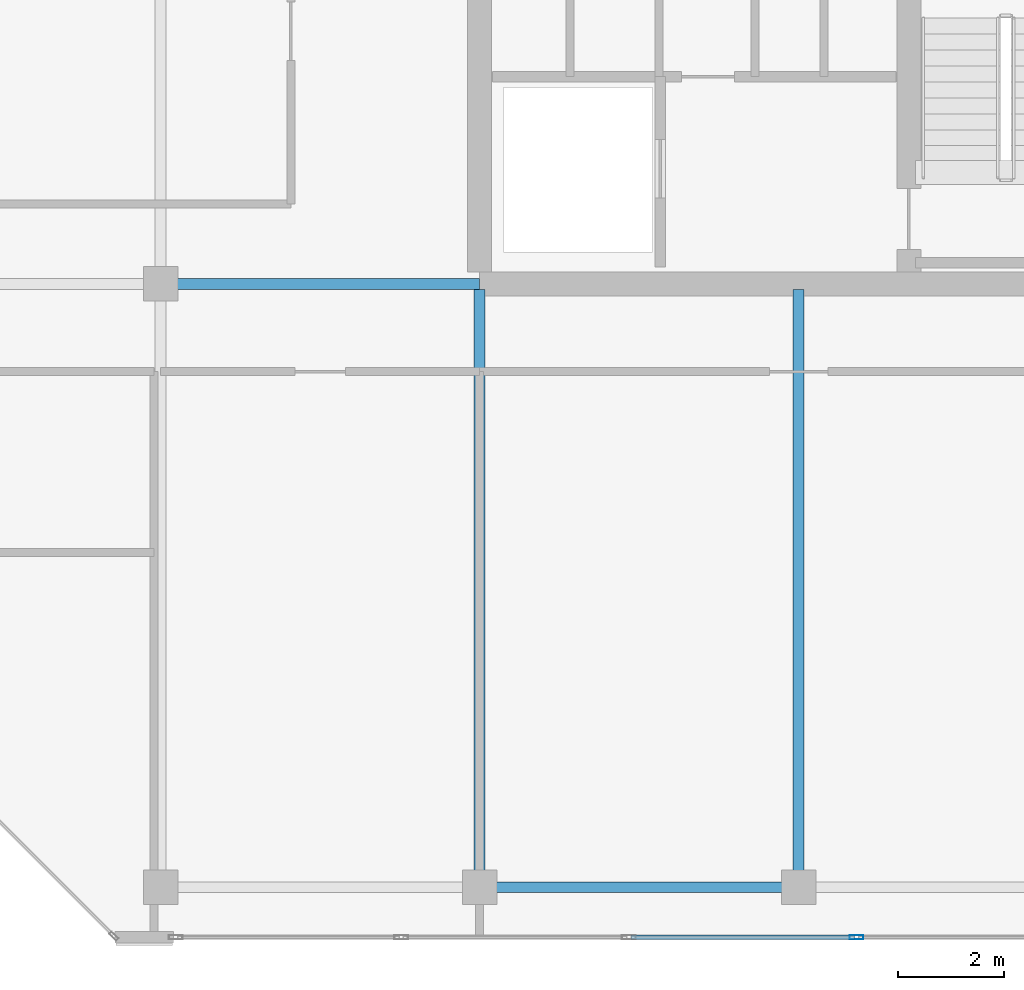
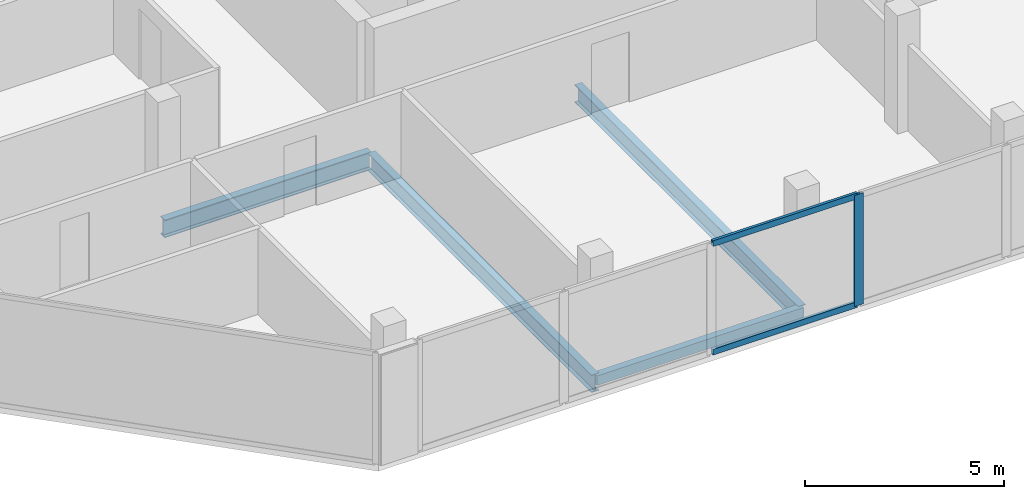
# One storey, part 11 of 28: 4 beams, 3 members, 1 element without a shape of its own.
"""IFC4 building model written with IfcOpenShell, lengths in metres."""

from ifc_helpers import new_model, si_unit, direction, frame, origin, origin_2d, place, context, subcontext, project, spatial, hollow_rectangle, i_section, extrude, material, layer, layer_set, material_profile, profile_set, type_object, element, aggregate, save


model = new_model("IFC4")

# Units and contexts
model_context = context("Model", 3, precision=1e-05, world=origin(), true_north=direction((0.0, 1.0)))
body_context = subcontext(model_context, "Body", "Model", "MODEL_VIEW")
ifc_project = project(units=[si_unit("LENGTHUNIT", "METRE"), si_unit("AREAUNIT", "SQUARE_METRE"), si_unit("VOLUMEUNIT", "CUBIC_METRE"), si_unit("PLANEANGLEUNIT", "RADIAN"), si_unit("MASSUNIT", "GRAM", prefix="KILO")], contexts=[model_context])

# Site, building, storey
site_placement = place(None, origin())
site = spatial("IfcSite", under=ifc_project, at=site_placement, CompositionType="ELEMENT")
building_placement = place(site_placement, origin())
building = spatial("IfcBuilding", under=site, at=building_placement, Name="Tanjung Sevakor Pilgrim Tower", CompositionType="ELEMENT")
storey_placement = place(building_placement, frame((0.0, 0.0, 257.070068359375)))
storey = spatial("IfcBuildingStorey", under=building, at=storey_placement, Name="L72", CompositionType="ELEMENT", Elevation=257.070068359375)

# Beams
ifc_material_1 = material(Name="Steel S355J2", Category="steel")
ifc_material_profile_1 = material_profile(ifc_material_1, i_section(OverallWidth=0.2119140625, OverallDepth=0.54443359375, WebThickness=0.0126953125, FlangeThickness=0.021240234375, FilletRadius=0.0126953125, at=origin_2d()))
ifc_profile_set_1 = profile_set([ifc_material_profile_1], Name="Steel S355J2")
beam_type_1 = type_object("IfcBeamType", Name="BM-B-G5-UB_533x210x122", PredefinedType="BEAM", material=ifc_profile_set_1)
beam_1_placement = place(storey_placement, frame((72.0, 24.60009765625, -0.4921875), z_axis=(1.0, 0.0, 0.0), x_axis=(0.0, 1.0, 0.0)))
element("IfcBeam", 1, at=beam_1_placement, inside=storey, type_object=beam_type_1, Name="L72 Primary Floor Girder EAST Y246-02", PredefinedType="BEAM", context=body_context, shape_type="SweptSolid", body=[
    extrude(i_section(OverallWidth=0.2119140625, OverallDepth=0.54443359375, WebThickness=0.0126953125, FlangeThickness=0.021240234375, FilletRadius=0.0126953125, at=origin_2d()), origin(), (0.0, 0.0, 1.0), 6.0),
])
ifc_material_2 = material(Name="Steel S355J2", Category="steel")
ifc_material_profile_2 = material_profile(ifc_material_2, i_section(OverallWidth=0.210693359375, OverallDepth=0.53955078125, WebThickness=0.01171875, FlangeThickness=0.018798828125, FilletRadius=0.0126953125, at=origin_2d()))
ifc_profile_set_2 = profile_set([ifc_material_profile_2], Name="Steel S355J2")
beam_type_2 = type_object("IfcBeamType", Name="BM-B-G6-UB_533x210x109", PredefinedType="BEAM", material=ifc_profile_set_2)
for number, where, z_axis, x_axis, name in (
    (2, (78.0, 13.25, -0.48974609375), (0.0, 1.0, 0.0), (-1.0, 0.0, 0.0), "L72 EAST Girder 005"),
    (3, (84.0, 13.25, -0.48974609375), (0.0, 1.0, 0.0), (-1.0, 0.0, 0.0), "L72 EAST Girder 007"),
):
    element("IfcBeam", number, at=place(storey_placement, frame(where, z_axis=z_axis, x_axis=x_axis)), inside=storey, type_object=beam_type_2, Name=name, PredefinedType="BEAM", context=body_context, shape_type="SweptSolid", body=[
        extrude(i_section(OverallWidth=0.210693359375, OverallDepth=0.53955078125, WebThickness=0.01171875, FlangeThickness=0.018798828125, FilletRadius=0.0126953125, at=origin_2d()), origin(), (0.0, 0.0, 1.0), 11.243896484375),
    ])
ifc_material_3 = material(Name="Steel S355J2", Category="steel")
ifc_material_profile_3 = material_profile(ifc_material_3, hollow_rectangle(XDim=0.199951171875, YDim=0.300048828125, WallThickness=0.012451171875, at=origin_2d()))
ifc_profile_set_3 = profile_set([ifc_material_profile_3], Name="Steel S355J2")
beam_type_3 = type_object("IfcBeamType", Name="BM-B-SP3-RHS_300x200x12.5", PredefinedType="SPANDREL", material=ifc_profile_set_3)
beam_2_placement = place(storey_placement, frame((78.0, 13.25, -0.3701171875), z_axis=(1.0, 0.0, 0.0), x_axis=(0.0, 1.0, 0.0)))
element("IfcBeam", 4, at=beam_2_placement, inside=storey, type_object=beam_type_3, Name="L72 Spandrel EAST S-03", PredefinedType="SPANDREL", context=body_context, shape_type="SweptSolid", body=[
    extrude(hollow_rectangle(XDim=0.199951171875, YDim=0.300048828125, WallThickness=0.012451171875, at=origin_2d()), origin(), (0.0, 0.0, 1.0), 6.0),
])

# Curtain wall, members
ifc_material_4 = material(Name="Aluminium 6063-T6 and Low-E Glass", Category="aluminium")
ifc_layer = layer(ifc_material_4, 0.219970703125)
ifc_layer_set = layer_set([ifc_layer], Name="CW-SYS-CRNE")
curtain_wall_type = type_object("IfcCurtainWallType", Name="CW-SYS-CRNE", PredefinedType="NOTDEFINED", material=ifc_layer_set)
curtain_wall_placement = place(storey_placement, origin())
curtain_wall = element("IfcCurtainWall", 5, at=curtain_wall_placement, inside=storey, type_object=curtain_wall_type, Name="L72 Curtain Wall CW-CRN-L72-EAST-0-1", PredefinedType="NOTDEFINED")
ifc_material_5 = material(Name="Aluminium 6063-T6", Category="aluminium")
ifc_material_profile_4 = material_profile(ifc_material_5, hollow_rectangle(XDim=0.080078125, YDim=0.260009765625, WallThickness=0.0048828125, at=origin_2d()))
ifc_profile_set_4 = profile_set([ifc_material_profile_4], Name="Aluminium 6063-T6")
member_type_1 = type_object("IfcMemberType", Name="TYPE-CWM-3", PredefinedType="MULLION", material=ifc_profile_set_4)
member_1_placement = place(storey_placement, frame((85.0908203125, 12.31005859375, 0.0), z_axis=(0.0, 0.0, 1.0), x_axis=(0.0, 1.0, 0.0)))
member_1 = element("IfcMember", 6, at=member_1_placement, type_object=member_type_1, Name="CW-CRE mullion 4", PredefinedType="MULLION", context=body_context, shape_type="SweptSolid", body=[
    extrude(hollow_rectangle(XDim=0.080078125, YDim=0.260009765625, WallThickness=0.0048828125, at=origin_2d()), origin(), (0.0, 0.0, 1.0), 3.409912109375),
])
ifc_material_6 = material(Name="Aluminium 6063-T6", Category="aluminium")
ifc_material_profile_5 = material_profile(ifc_material_6, hollow_rectangle(XDim=0.080078125, YDim=0.179931640625, WallThickness=0.0048828125, at=origin_2d()))
ifc_profile_set_5 = profile_set([ifc_material_profile_5], Name="Aluminium 6063-T6")
member_type_2 = type_object("IfcMemberType", Name="TYPE-CWT-3", PredefinedType="USERDEFINED", material=ifc_profile_set_5)
member_2_placement = place(storey_placement, frame((80.84912109375, 12.31005859375, 0.0400390625), z_axis=(1.0, 0.0, 0.0), x_axis=(0.0, 1.0, 0.0)))
member_2 = element("IfcMember", 7, at=member_2_placement, type_object=member_type_2, Name="CW-CRE transom 3.1", ObjectType="TRANSOM", PredefinedType="USERDEFINED", context=body_context, shape_type="SweptSolid", body=[
    extrude(hollow_rectangle(XDim=0.080078125, YDim=0.179931640625, WallThickness=0.0048828125, at=origin_2d()), origin(), (0.0, 0.0, 1.0), 4.20166015625),
])
member_3_placement = place(storey_placement, frame((80.84912109375, 12.31005859375, 3.369873046875), z_axis=(1.0, 0.0, 0.0), x_axis=(0.0, 1.0, 0.0)))
member_3 = element("IfcMember", 8, at=member_3_placement, type_object=member_type_2, Name="CW-CRE transom 3.2", ObjectType="TRANSOM", PredefinedType="USERDEFINED", context=body_context, shape_type="SweptSolid", body=[
    extrude(hollow_rectangle(XDim=0.080078125, YDim=0.179931640625, WallThickness=0.0048828125, at=origin_2d()), origin(), (0.0, 0.0, 1.0), 4.20166015625),
])
aggregate(curtain_wall, [member_1, member_2, member_3])

save(model, "model.ifc")
